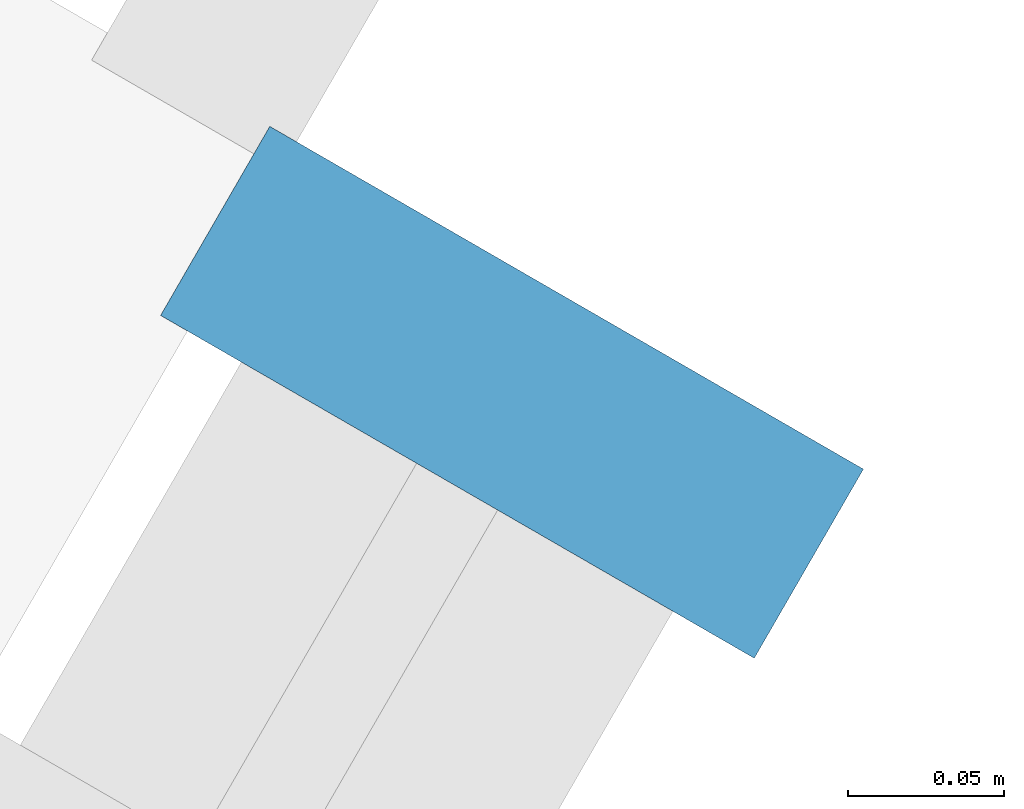
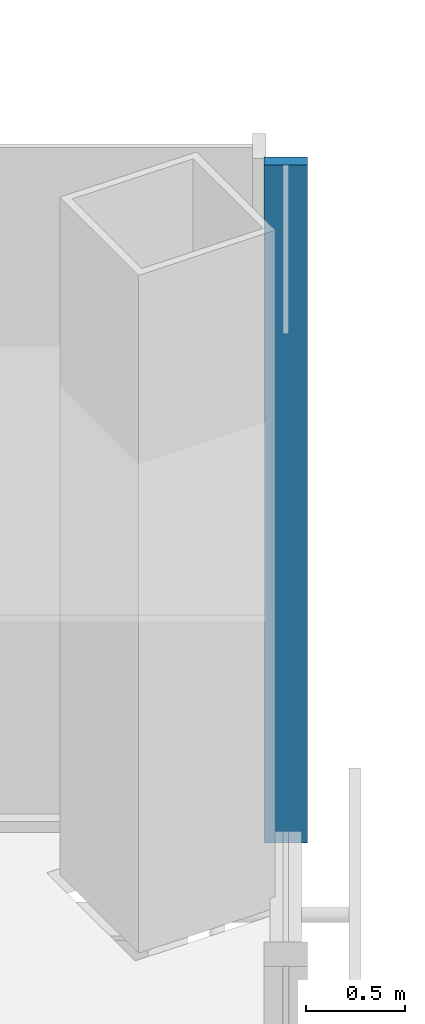
# One storey, part 8 of 18: 1 member, 1 element without a shape of its own.
"""IFC4 building model written with IfcOpenShell, lengths in metres."""

from ifc_helpers import new_model, si_unit, direction, frame, origin, origin_2d, place, context, subcontext, project, spatial, rectangle, extrude, material, material_profile, profile_set, type_object, element, aggregate, save


model = new_model("IFC4")

# Units and contexts
model_context = context("Model", 3, precision=1e-05, world=origin(), true_north=direction((0.0, 1.0)))
body_context = subcontext(model_context, "Body", "Model", "MODEL_VIEW")
ifc_project = project(units=[si_unit("LENGTHUNIT", "METRE"), si_unit("AREAUNIT", "SQUARE_METRE"), si_unit("VOLUMEUNIT", "CUBIC_METRE"), si_unit("PLANEANGLEUNIT", "RADIAN"), si_unit("MASSUNIT", "GRAM", prefix="KILO")], contexts=[model_context])

# Site, building, storey
site_placement = place(None, origin())
site = spatial("IfcSite", under=ifc_project, at=site_placement, CompositionType="ELEMENT")
building_placement = place(site_placement, origin())
building = spatial("IfcBuilding", under=site, at=building_placement, Name="Kasaneha Research Tower", CompositionType="ELEMENT")
storey_placement = place(building_placement, frame((0.0, 0.0, 57.0)))
storey = spatial("IfcBuildingStorey", under=building, at=storey_placement, Name="L14", CompositionType="ELEMENT", Elevation=57.0)

# Curtain wall, member
ifc_material_1 = material(Name="Glass and aluminium", Category="aluminium")
curtain_wall_type = type_object("IfcCurtainWallType", Name="Sky lobby curtain wall", PredefinedType="USERDEFINED", material=ifc_material_1)
curtain_wall_placement = place(storey_placement, origin())
curtain_wall = element("IfcCurtainWall", 1, at=curtain_wall_placement, inside=storey, type_object=curtain_wall_type, Name="CW-S L14 run 05a", ObjectType="UNITISED CURTAIN WALL", PredefinedType="USERDEFINED")
ifc_material_2 = material(Name="Aluminium 6063-T6", Category="aluminium")
ifc_material_profile = material_profile(ifc_material_2, rectangle(XDim=0.070068359375, YDim=0.219970703125, at=origin_2d()), Name="CW-S mullion 70x220")
ifc_profile_set = profile_set([ifc_material_profile], Name="Aluminium 6063-T6")
member_type = type_object("IfcMemberType", Name="CW-S mullion", PredefinedType="MULLION", material=ifc_profile_set)
member_placement = place(storey_placement, frame((32.010498046875, -6.397216796875, 0.0), z_axis=(0.0, 0.0, 1.0), x_axis=(0.500000011442, 0.866025397178, 0.0)))
member = element("IfcMember", 2, at=member_placement, type_object=member_type, Name="CW-S mullion 4", PredefinedType="MULLION", context=body_context, shape_type="SweptSolid", body=[
    extrude(rectangle(XDim=0.070068359375, YDim=0.219970703125, at=origin_2d()), origin(), (0.0, 0.0, 1.0), 4.199951171875),
])
aggregate(curtain_wall, [member])

save(model, "model.ifc")
